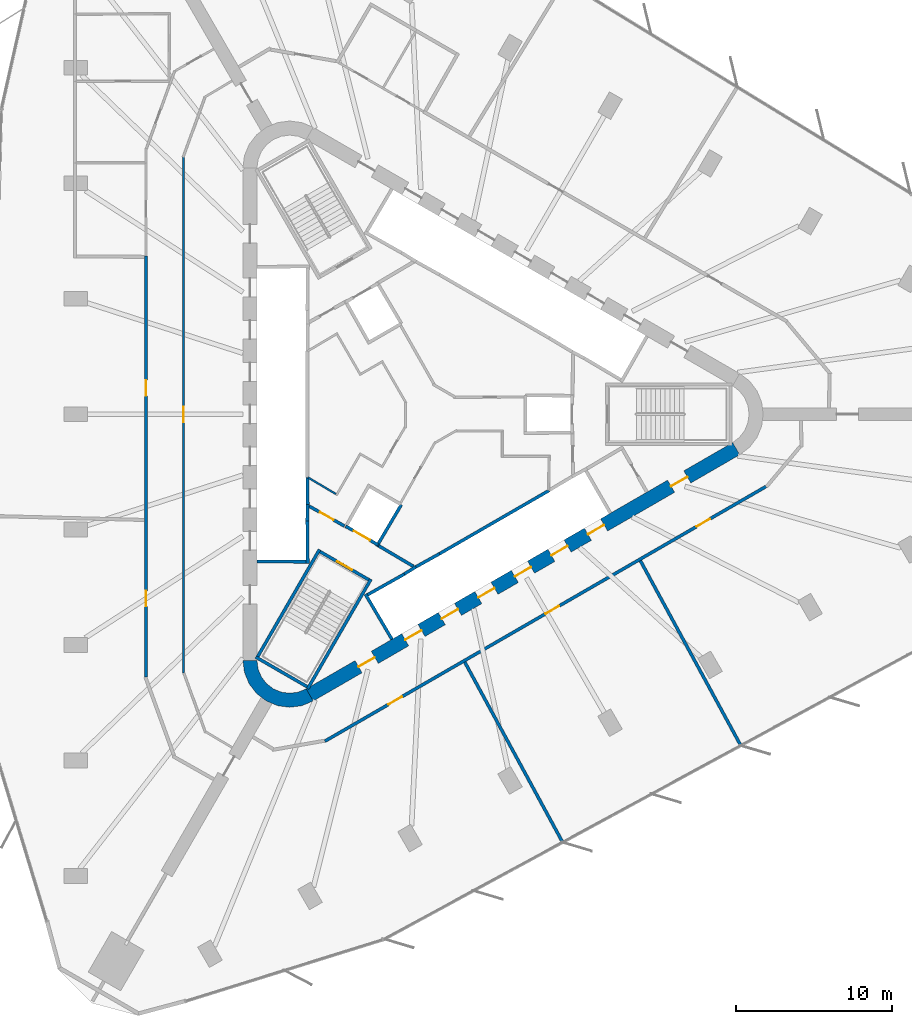
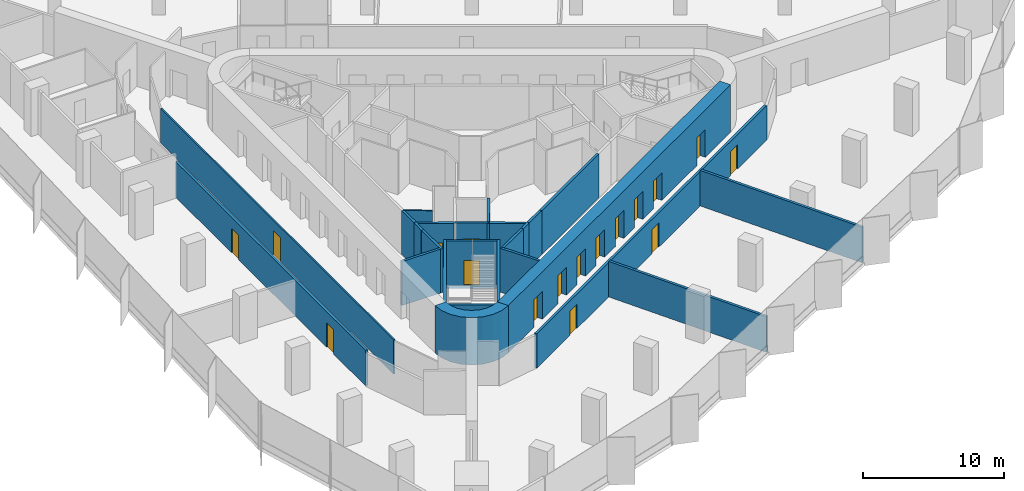
# One storey, part 9 of 14: 25 walls, 17 doors, 17 openings.
"""IFC4 building model written with IfcOpenShell, lengths in metres."""

from ifc_helpers import new_model, si_unit, direction, frame, frame_2d, origin, place, context, subcontext, project, spatial, polyline, rectangle, outline, extrude, material, layer, layer_set, type_object, element, fill, save


model = new_model("IFC4")

# Units and contexts
model_context = context("Model", 3, precision=1e-05, world=origin(), true_north=direction((0.0, 1.0)))
body_context = subcontext(model_context, "Body", "Model", "MODEL_VIEW")
ifc_project = project(units=[si_unit("LENGTHUNIT", "METRE"), si_unit("AREAUNIT", "SQUARE_METRE"), si_unit("VOLUMEUNIT", "CUBIC_METRE"), si_unit("PLANEANGLEUNIT", "RADIAN"), si_unit("MASSUNIT", "GRAM", prefix="KILO")], contexts=[model_context])

# Site, building, storey
site_placement = place(None, origin())
site = spatial("IfcSite", under=ifc_project, at=site_placement, CompositionType="ELEMENT")
building_placement = place(site_placement, origin())
building = spatial("IfcBuilding", under=site, at=building_placement, Name="Tanit Gate Tower", CompositionType="ELEMENT")
storey_placement = place(building_placement, frame((0.0, 0.0, 119.300048828125)))
storey = spatial("IfcBuildingStorey", under=building, at=storey_placement, Name="L25", CompositionType="ELEMENT", Elevation=119.300048828125)

# Wall, openings, doors
ifc_material_1 = material(Name="Concrete C60/75", Category="concrete")
ifc_layer_1 = layer(ifc_material_1, 0.89990234375)
ifc_layer_set_1 = layer_set([ifc_layer_1], Name="CORE WALL 900 C60/75")
wall_type_1 = type_object("IfcWallType", Name="CORE WALL 900 C60/75", PredefinedType="SHEAR", material=ifc_layer_set_1)
wall_1_placement = place(storey_placement, frame((-7.824951171875, -17.969970703125, 0.0), z_axis=(0.0, 0.0, 1.0), x_axis=(0.866028369851, 0.499994862586, 0.0)))
wall_1 = element("IfcWall", 1, at=wall_1_placement, inside=storey, type_object=wall_type_1, Name="CORE WALL", PredefinedType="SHEAR", context=body_context, shape_type="SweptSolid", body=[
    extrude(rectangle(XDim=31.523193359375, YDim=0.89990234375, at=frame_2d((15.76171875, 0.0))), origin(), (0.0, 0.0, 1.0), 4.099853515625),
])
opening_1_placement = place(wall_1_placement, frame((7.061767578125, 0.0, 0.0)))
opening_1 = element("IfcOpeningElement", 2, at=opening_1_placement, cuts=wall_1, Name="Opening LDSX1-S06", PredefinedType="OPENING", context=body_context, shape_type="SweptSolid", body=[
    extrude(rectangle(XDim=1.199951171875, YDim=2.39990234375, at=frame_2d((0.60009765625, 1.199951171875))), frame((0.0, 0.4599609375, 0.0), z_axis=(0.0, -1.0, 0.0), x_axis=(1.0, 0.0, 0.0)), (0.0, 0.0, 1.0), 0.919921875),
])
opening_2_placement = place(wall_1_placement, frame((9.76171875, 0.0, 0.0)))
opening_2 = element("IfcOpeningElement", 3, at=opening_2_placement, cuts=wall_1, Name="Opening LDSX2-S06", PredefinedType="OPENING", context=body_context, shape_type="SweptSolid", body=[
    extrude(rectangle(XDim=1.199951171875, YDim=2.39990234375, at=frame_2d((0.60009765625, 1.199951171875))), frame((0.0, 0.4599609375, 0.0), z_axis=(0.0, -1.0, 0.0), x_axis=(1.0, 0.0, 0.0)), (0.0, 0.0, 1.0), 0.919921875),
])
opening_3_placement = place(wall_1_placement, frame((12.461669921875, 0.0, 0.0)))
opening_3 = element("IfcOpeningElement", 4, at=opening_3_placement, cuts=wall_1, Name="Opening LDSX3-S06", PredefinedType="OPENING", context=body_context, shape_type="SweptSolid", body=[
    extrude(rectangle(XDim=1.199951171875, YDim=2.39990234375, at=frame_2d((0.60009765625, 1.199951171875))), frame((0.0, 0.4599609375, 0.0), z_axis=(0.0, -1.0, 0.0), x_axis=(1.0, 0.0, 0.0)), (0.0, 0.0, 1.0), 0.919921875),
])
opening_4_placement = place(wall_1_placement, frame((15.16162109375, 0.0, 0.0)))
opening_4 = element("IfcOpeningElement", 5, at=opening_4_placement, cuts=wall_1, Name="Opening LDSX4-S06", PredefinedType="OPENING", context=body_context, shape_type="SweptSolid", body=[
    extrude(rectangle(XDim=1.199951171875, YDim=2.39990234375, at=frame_2d((0.60009765625, 1.199951171875))), frame((0.0, 0.4599609375, 0.0), z_axis=(0.0, -1.0, 0.0), x_axis=(1.0, 0.0, 0.0)), (0.0, 0.0, 1.0), 0.919921875),
])
opening_5_placement = place(wall_1_placement, frame((17.861572265625, 0.0, 0.0)))
opening_5 = element("IfcOpeningElement", 6, at=opening_5_placement, cuts=wall_1, Name="Opening LDSV1-S06", PredefinedType="OPENING", context=body_context, shape_type="SweptSolid", body=[
    extrude(rectangle(XDim=1.199951171875, YDim=2.39990234375, at=frame_2d((0.60009765625, 1.199951171875))), frame((0.0, 0.4599609375, 0.0), z_axis=(0.0, -1.0, 0.0), x_axis=(1.0, 0.0, 0.0)), (0.0, 0.0, 1.0), 0.919921875),
])
opening_6_placement = place(wall_1_placement, frame((20.561767578125, 0.0, 0.0)))
opening_6 = element("IfcOpeningElement", 7, at=opening_6_placement, cuts=wall_1, Name="Opening LDSV2-S06", PredefinedType="OPENING", context=body_context, shape_type="SweptSolid", body=[
    extrude(rectangle(XDim=1.199951171875, YDim=2.39990234375, at=frame_2d((0.60009765625, 1.199951171875))), frame((0.0, 0.4599609375, 0.0), z_axis=(0.0, -1.0, 0.0), x_axis=(1.0, 0.0, 0.0)), (0.0, 0.0, 1.0), 0.919921875),
])
opening_7_placement = place(wall_1_placement, frame((26.711669921875, 0.0, 0.0)))
opening_7 = element("IfcOpeningElement", 8, at=opening_7_placement, cuts=wall_1, Name="Opening F12-S06-S1", PredefinedType="OPENING", context=body_context, shape_type="SweptSolid", body=[
    extrude(rectangle(XDim=1.199951171875, YDim=2.39990234375, at=frame_2d((0.60009765625, 1.199951171875))), frame((0.0, 0.4599609375, 0.0), z_axis=(0.0, -1.0, 0.0), x_axis=(1.0, 0.0, 0.0)), (0.0, 0.0, 1.0), 0.919921875),
])
opening_8_placement = place(wall_1_placement, frame((3.611572265625, 0.0, 0.0)))
opening_8 = element("IfcOpeningElement", 9, at=opening_8_placement, cuts=wall_1, Name="Opening F12-S06-FL3", PredefinedType="OPENING", context=body_context, shape_type="SweptSolid", body=[
    extrude(rectangle(XDim=1.199951171875, YDim=2.39990234375, at=frame_2d((0.60009765625, 1.199951171875))), frame((0.0, 0.4599609375, 0.0), z_axis=(0.0, -1.0, 0.0), x_axis=(1.0, 0.0, 0.0)), (0.0, 0.0, 1.0), 0.919921875),
])
ifc_material_2 = material(Name="Fire-rated steel door leaf", Category="steel")
door_type_1 = type_object("IfcDoorType", Name="INT-DOOR-FIRE-LOBBY-1200", OperationType="NOTDEFINED", PredefinedType="USERDEFINED", material=ifc_material_2)
door_1_placement = place(opening_7_placement, origin())
door_1 = element("IfcDoor", 10, at=door_1_placement, inside=storey, type_object=door_type_1, Name="Door F12-S06-S1", ObjectType="FIRE DOOR", OperationType="SINGLE_SWING_LEFT", OverallHeight=2.39990234375, OverallWidth=1.199951171875, PredefinedType="USERDEFINED", context=body_context, shape_type="SweptSolid", body=[
    extrude(rectangle(XDim=1.199951171875, YDim=2.39990234375, at=frame_2d((0.60009765625, 1.199951171875))), frame((0.0, 0.02490234375, 0.0), z_axis=(0.0, -1.0, 0.0), x_axis=(1.0, 0.0, 0.0)), (0.0, 0.0, 1.0), 0.050048828125),
])
fill(opening_7, door_1)
door_2_placement = place(opening_8_placement, origin())
door_2 = element("IfcDoor", 11, at=door_2_placement, inside=storey, type_object=door_type_1, Name="Door F12-S06-FL3", ObjectType="FIRE DOOR", OperationType="SINGLE_SWING_RIGHT", OverallHeight=2.39990234375, OverallWidth=1.199951171875, PredefinedType="USERDEFINED", context=body_context, shape_type="SweptSolid", body=[
    extrude(rectangle(XDim=1.199951171875, YDim=2.39990234375, at=frame_2d((0.60009765625, 1.199951171875))), frame((0.0, 0.02490234375, 0.0), z_axis=(0.0, -1.0, 0.0), x_axis=(1.0, 0.0, 0.0)), (0.0, 0.0, 1.0), 0.050048828125),
])
fill(opening_8, door_2)
ifc_material_3 = material(Name="Stainless steel sliding door leaf", Category="steel")
door_type_2 = type_object("IfcDoorType", Name="INT-DOOR-LANDING-1200", OperationType="NOTDEFINED", PredefinedType="USERDEFINED", material=ifc_material_3)
door_3_placement = place(opening_1_placement, origin())
door_3 = element("IfcDoor", 12, at=door_3_placement, inside=storey, type_object=door_type_2, Name="Door LDSX1-S06", ObjectType="LANDING DOOR", OperationType="SLIDING_TO_LEFT", OverallHeight=2.39990234375, OverallWidth=1.199951171875, PredefinedType="USERDEFINED", context=body_context, shape_type="SweptSolid", body=[
    extrude(rectangle(XDim=1.199951171875, YDim=2.39990234375, at=frame_2d((0.60009765625, 1.199951171875))), frame((0.0, 0.02490234375, 0.0), z_axis=(0.0, -1.0, 0.0), x_axis=(1.0, 0.0, 0.0)), (0.0, 0.0, 1.0), 0.050048828125),
])
fill(opening_1, door_3)
door_4_placement = place(opening_2_placement, origin())
door_4 = element("IfcDoor", 13, at=door_4_placement, inside=storey, type_object=door_type_2, Name="Door LDSX2-S06", ObjectType="LANDING DOOR", OperationType="SLIDING_TO_LEFT", OverallHeight=2.39990234375, OverallWidth=1.199951171875, PredefinedType="USERDEFINED", context=body_context, shape_type="SweptSolid", body=[
    extrude(rectangle(XDim=1.199951171875, YDim=2.39990234375, at=frame_2d((0.60009765625, 1.199951171875))), frame((0.0, 0.02490234375, 0.0), z_axis=(0.0, -1.0, 0.0), x_axis=(1.0, 0.0, 0.0)), (0.0, 0.0, 1.0), 0.050048828125),
])
fill(opening_2, door_4)
door_5_placement = place(opening_3_placement, origin())
door_5 = element("IfcDoor", 14, at=door_5_placement, inside=storey, type_object=door_type_2, Name="Door LDSX3-S06", ObjectType="LANDING DOOR", OperationType="SLIDING_TO_LEFT", OverallHeight=2.39990234375, OverallWidth=1.199951171875, PredefinedType="USERDEFINED", context=body_context, shape_type="SweptSolid", body=[
    extrude(rectangle(XDim=1.199951171875, YDim=2.39990234375, at=frame_2d((0.60009765625, 1.199951171875))), frame((0.0, 0.02490234375, 0.0), z_axis=(0.0, -1.0, 0.0), x_axis=(1.0, 0.0, 0.0)), (0.0, 0.0, 1.0), 0.050048828125),
])
fill(opening_3, door_5)
door_6_placement = place(opening_4_placement, origin())
door_6 = element("IfcDoor", 15, at=door_6_placement, inside=storey, type_object=door_type_2, Name="Door LDSX4-S06", ObjectType="LANDING DOOR", OperationType="SLIDING_TO_LEFT", OverallHeight=2.39990234375, OverallWidth=1.199951171875, PredefinedType="USERDEFINED", context=body_context, shape_type="SweptSolid", body=[
    extrude(rectangle(XDim=1.199951171875, YDim=2.39990234375, at=frame_2d((0.60009765625, 1.199951171875))), frame((0.0, 0.02490234375, 0.0), z_axis=(0.0, -1.0, 0.0), x_axis=(1.0, 0.0, 0.0)), (0.0, 0.0, 1.0), 0.050048828125),
])
fill(opening_4, door_6)
door_7_placement = place(opening_5_placement, origin())
door_7 = element("IfcDoor", 16, at=door_7_placement, inside=storey, type_object=door_type_2, Name="Door LDSV1-S06", ObjectType="LANDING DOOR", OperationType="SLIDING_TO_LEFT", OverallHeight=2.39990234375, OverallWidth=1.199951171875, PredefinedType="USERDEFINED", context=body_context, shape_type="SweptSolid", body=[
    extrude(rectangle(XDim=1.199951171875, YDim=2.39990234375, at=frame_2d((0.60009765625, 1.199951171875))), frame((0.0, 0.02490234375, 0.0), z_axis=(0.0, -1.0, 0.0), x_axis=(1.0, 0.0, 0.0)), (0.0, 0.0, 1.0), 0.050048828125),
])
fill(opening_5, door_7)
door_8_placement = place(opening_6_placement, origin())
door_8 = element("IfcDoor", 17, at=door_8_placement, inside=storey, type_object=door_type_2, Name="Door LDSV2-S06", ObjectType="LANDING DOOR", OperationType="SLIDING_TO_LEFT", OverallHeight=2.39990234375, OverallWidth=1.199951171875, PredefinedType="USERDEFINED", context=body_context, shape_type="SweptSolid", body=[
    extrude(rectangle(XDim=1.199951171875, YDim=2.39990234375, at=frame_2d((0.60009765625, 1.199951171875))), frame((0.0, 0.02490234375, 0.0), z_axis=(0.0, -1.0, 0.0), x_axis=(1.0, 0.0, 0.0)), (0.0, 0.0, 1.0), 0.050048828125),
])
fill(opening_6, door_8)

# Walls
wall_2_placement = place(storey_placement, origin())
element("IfcWall", 18, at=wall_2_placement, inside=storey, type_object=wall_type_1, Name="CORE WALL CORNER", PredefinedType="SHEAR", context=body_context, shape_type="SweptSolid", body=[
    extrude(outline(polyline([(-12.10009765625, -15.76171875), (-11.997802734375, -16.5380859375), (-11.697998046875, -17.26171875), (-11.22119140625, -17.883056640625), (-10.60009765625, -18.359619140625), (-9.87646484375, -18.659423828125), (-9.10009765625, -18.76171875), (-8.323486328125, -18.659423828125), (-7.60009765625, -18.359619140625), (-8.050048828125, -17.580322265625), (-8.556396484375, -17.7900390625), (-9.10009765625, -17.86181640625), (-9.6435546875, -17.7900390625), (-10.14990234375, -17.580322265625), (-10.5849609375, -17.24658203125), (-10.918701171875, -16.811767578125), (-11.12841796875, -16.30517578125), (-11.199951171875, -15.76171875), (-12.10009765625, -15.76171875)])), origin(), (0.0, 0.0, 1.0), 4.099853515625),
])
ifc_material_4 = material(Name="Fire-rated gypsum board partition")
ifc_layer_2 = layer(ifc_material_4, 0.199951171875)
ifc_layer_set_2 = layer_set([ifc_layer_2], Name="INT-WALL-COMPARTMENT")
wall_type_2 = type_object("IfcWallType", Name="INT-WALL-COMPARTMENT", PredefinedType="PARTITIONING", material=ifc_layer_set_2)
wall_3_placement = place(storey_placement, frame((-3.400634765625, -8.43017578125, 0.0), z_axis=(0.0, 0.0, 1.0), x_axis=(0.860615607571, -0.509255118781, 0.0)))
element("IfcWall", 19, at=wall_3_placement, inside=storey, type_object=wall_type_2, Name="Wall Compartment W063", PredefinedType="PARTITIONING", context=body_context, shape_type="SweptSolid", body=[
    extrude(rectangle(XDim=2.58056640625, YDim=0.199951171875, at=frame_2d((1.290283203125, 0.0))), origin(), (0.0, 0.0, 1.0), 3.800048828125),
])

# Wall, opening, door
wall_4_placement = place(storey_placement, frame((-7.849365234375, -5.893798828125, 0.0), z_axis=(0.0, 0.0, 1.0), x_axis=(0.871363259478, -0.490638431059, 0.0)))
wall_4 = element("IfcWall", 20, at=wall_4_placement, inside=storey, type_object=wall_type_2, Name="Wall Compartment W064", PredefinedType="PARTITIONING", context=body_context, shape_type="SweptSolid", body=[
    extrude(rectangle(XDim=2.5810546875, YDim=0.199951171875, at=frame_2d((1.29052734375, 0.0))), origin(), (0.0, 0.0, 1.0), 3.800048828125),
])
opening_9_placement = place(wall_4_placement, frame((0.79052734375, 0.0, 0.0)))
opening_9 = element("IfcOpeningElement", 21, at=opening_9_placement, cuts=wall_4, Name="Opening F10-S06-08", PredefinedType="OPENING", context=body_context, shape_type="SweptSolid", body=[
    extrude(rectangle(XDim=1.0, YDim=2.10009765625, at=frame_2d((0.5, 1.050048828125))), frame((0.0, 0.10986328125, 0.0), z_axis=(0.0, -1.0, 0.0), x_axis=(1.0, 0.0, 0.0)), (0.0, 0.0, 1.0), 0.219970703125),
])
ifc_material_5 = material(Name="Fire-rated steel door leaf", Category="steel")
door_type_3 = type_object("IfcDoorType", Name="INT-DOOR-FIRE-1000", OperationType="NOTDEFINED", PredefinedType="USERDEFINED", material=ifc_material_5)
door_9_placement = place(opening_9_placement, origin())
door_9 = element("IfcDoor", 22, at=door_9_placement, inside=storey, type_object=door_type_3, Name="Door F10-S06-08", ObjectType="FIRE DOOR", OperationType="SINGLE_SWING_RIGHT", OverallHeight=2.10009765625, OverallWidth=1.0, PredefinedType="USERDEFINED", context=body_context, shape_type="SweptSolid", body=[
    extrude(rectangle(XDim=1.0, YDim=2.10009765625, at=frame_2d((0.5, 1.050048828125))), frame((0.0, 0.02490234375, 0.0), z_axis=(0.0, -1.0, 0.0), x_axis=(1.0, 0.0, 0.0)), (0.0, 0.0, 1.0), 0.050048828125),
])
fill(opening_9, door_9)

# Wall, openings, doors
wall_5_placement = place(storey_placement, frame((-18.300048828125, 10.1298828125, 0.0), z_axis=(0.0, 0.0, 1.0), x_axis=(0.0, -1.0, 0.0)))
wall_5 = element("IfcWall", 23, at=wall_5_placement, inside=storey, type_object=wall_type_2, Name="Wall Compartment W091", PredefinedType="PARTITIONING", context=body_context, shape_type="SweptSolid", body=[
    extrude(rectangle(XDim=26.964111328125, YDim=0.199951171875, at=frame_2d((13.48193359375, 0.0))), origin(), (0.0, 0.0, 1.0), 3.079833984375),
])
opening_10_placement = place(wall_5_placement, frame((21.43408203125, 0.0, 0.0)))
opening_10 = element("IfcOpeningElement", 24, at=opening_10_placement, cuts=wall_5, Name="Opening F10-S06-21", PredefinedType="OPENING", context=body_context, shape_type="SweptSolid", body=[
    extrude(rectangle(XDim=1.0, YDim=2.10009765625, at=frame_2d((0.5, 1.050048828125))), frame((0.0, 0.10986328125, 0.0), z_axis=(0.0, -1.0, 0.0), x_axis=(1.0, 0.0, 0.0)), (0.0, 0.0, 1.0), 0.219970703125),
])
opening_11_placement = place(wall_5_placement, frame((7.951904296875, 0.0, 0.0)))
opening_11 = element("IfcOpeningElement", 25, at=opening_11_placement, cuts=wall_5, Name="Opening F10-S06-22", PredefinedType="OPENING", context=body_context, shape_type="SweptSolid", body=[
    extrude(rectangle(XDim=1.0, YDim=2.10009765625, at=frame_2d((0.5, 1.050048828125))), frame((0.0, 0.10986328125, 0.0), z_axis=(0.0, -1.0, 0.0), x_axis=(1.0, 0.0, 0.0)), (0.0, 0.0, 1.0), 0.219970703125),
])
door_10_placement = place(opening_10_placement, origin())
door_10 = element("IfcDoor", 26, at=door_10_placement, inside=storey, type_object=door_type_3, Name="Door F10-S06-21", ObjectType="FIRE DOOR", OperationType="SINGLE_SWING_LEFT", OverallHeight=2.10009765625, OverallWidth=1.0, PredefinedType="USERDEFINED", context=body_context, shape_type="SweptSolid", body=[
    extrude(rectangle(XDim=1.0, YDim=2.10009765625, at=frame_2d((0.5, 1.050048828125))), frame((0.0, 0.02490234375, 0.0), z_axis=(0.0, -1.0, 0.0), x_axis=(1.0, 0.0, 0.0)), (0.0, 0.0, 1.0), 0.050048828125),
])
fill(opening_10, door_10)
door_11_placement = place(opening_11_placement, origin())
door_11 = element("IfcDoor", 27, at=door_11_placement, inside=storey, type_object=door_type_3, Name="Door F10-S06-22", ObjectType="FIRE DOOR", OperationType="SINGLE_SWING_LEFT", OverallHeight=2.10009765625, OverallWidth=1.0, PredefinedType="USERDEFINED", context=body_context, shape_type="SweptSolid", body=[
    extrude(rectangle(XDim=1.0, YDim=2.10009765625, at=frame_2d((0.5, 1.050048828125))), frame((0.0, 0.02490234375, 0.0), z_axis=(0.0, -1.0, 0.0), x_axis=(1.0, 0.0, 0.0)), (0.0, 0.0, 1.0), 0.050048828125),
])
fill(opening_11, door_11)

wall_6_placement = place(storey_placement, frame((-6.852294921875, -20.930419921875, 0.0), z_axis=(0.0, 0.0, 1.0), x_axis=(0.866023703603, 0.500002944789, 0.0)))
wall_6 = element("IfcWall", 28, at=wall_6_placement, inside=storey, type_object=wall_type_2, Name="Wall Compartment W110", PredefinedType="PARTITIONING", context=body_context, shape_type="SweptSolid", body=[
    extrude(rectangle(XDim=32.598876953125, YDim=0.199951171875, at=frame_2d((16.29931640625, 0.0))), origin(), (0.0, 0.0, 1.0), 2.97998046875),
])
opening_12_placement = place(wall_6_placement, frame((27.462890625, 0.0, 0.0)))
opening_12 = element("IfcOpeningElement", 29, at=opening_12_placement, cuts=wall_6, Name="Opening F10-S06-26", PredefinedType="OPENING", context=body_context, shape_type="SweptSolid", body=[
    extrude(rectangle(XDim=1.0, YDim=2.10009765625, at=frame_2d((0.5, 1.050048828125))), frame((0.0, 0.10986328125, 0.0), z_axis=(0.0, -1.0, 0.0), x_axis=(1.0, 0.0, 0.0)), (0.0, 0.0, 1.0), 0.219970703125),
])
opening_13_placement = place(wall_6_placement, frame((16.30712890625, 0.0, 0.0)))
opening_13 = element("IfcOpeningElement", 30, at=opening_13_placement, cuts=wall_6, Name="Opening F10-S06-27", PredefinedType="OPENING", context=body_context, shape_type="SweptSolid", body=[
    extrude(rectangle(XDim=1.0, YDim=2.10009765625, at=frame_2d((0.5, 1.050048828125))), frame((0.0, 0.10986328125, 0.0), z_axis=(0.0, -1.0, 0.0), x_axis=(1.0, 0.0, 0.0)), (0.0, 0.0, 1.0), 0.219970703125),
])
opening_14_placement = place(wall_6_placement, frame((4.693603515625, 0.0, 0.0)))
opening_14 = element("IfcOpeningElement", 31, at=opening_14_placement, cuts=wall_6, Name="Opening F10-S06-28", PredefinedType="OPENING", context=body_context, shape_type="SweptSolid", body=[
    extrude(rectangle(XDim=1.0, YDim=2.10009765625, at=frame_2d((0.5, 1.050048828125))), frame((0.0, 0.10986328125, 0.0), z_axis=(0.0, -1.0, 0.0), x_axis=(1.0, 0.0, 0.0)), (0.0, 0.0, 1.0), 0.219970703125),
])
door_12_placement = place(opening_12_placement, origin())
door_12 = element("IfcDoor", 32, at=door_12_placement, inside=storey, type_object=door_type_3, Name="Door F10-S06-26", ObjectType="FIRE DOOR", OperationType="SINGLE_SWING_LEFT", OverallHeight=2.10009765625, OverallWidth=1.0, PredefinedType="USERDEFINED", context=body_context, shape_type="SweptSolid", body=[
    extrude(rectangle(XDim=1.0, YDim=2.10009765625, at=frame_2d((0.5, 1.050048828125))), frame((0.0, 0.02490234375, 0.0), z_axis=(0.0, -1.0, 0.0), x_axis=(1.0, 0.0, 0.0)), (0.0, 0.0, 1.0), 0.050048828125),
])
fill(opening_12, door_12)
door_13_placement = place(opening_13_placement, origin())
door_13 = element("IfcDoor", 33, at=door_13_placement, inside=storey, type_object=door_type_3, Name="Door F10-S06-27", ObjectType="FIRE DOOR", OperationType="SINGLE_SWING_RIGHT", OverallHeight=2.10009765625, OverallWidth=1.0, PredefinedType="USERDEFINED", context=body_context, shape_type="SweptSolid", body=[
    extrude(rectangle(XDim=1.0, YDim=2.10009765625, at=frame_2d((0.5, 1.050048828125))), frame((0.0, 0.02490234375, 0.0), z_axis=(0.0, -1.0, 0.0), x_axis=(1.0, 0.0, 0.0)), (0.0, 0.0, 1.0), 0.050048828125),
])
fill(opening_13, door_13)
door_14_placement = place(opening_14_placement, origin())
door_14 = element("IfcDoor", 34, at=door_14_placement, inside=storey, type_object=door_type_3, Name="Door F10-S06-28", ObjectType="FIRE DOOR", OperationType="SINGLE_SWING_LEFT", OverallHeight=2.10009765625, OverallWidth=1.0, PredefinedType="USERDEFINED", context=body_context, shape_type="SweptSolid", body=[
    extrude(rectangle(XDim=1.0, YDim=2.10009765625, at=frame_2d((0.5, 1.050048828125))), frame((0.0, 0.02490234375, 0.0), z_axis=(0.0, -1.0, 0.0), x_axis=(1.0, 0.0, 0.0)), (0.0, 0.0, 1.0), 0.050048828125),
])
fill(opening_14, door_14)

# Walls
wall_7_placement = place(storey_placement, frame((13.34521484375, -9.384765625, 0.0), z_axis=(0.0, 0.0, 1.0), x_axis=(0.477273420177, -0.878754847721, 0.0)))
element("IfcWall", 35, at=wall_7_placement, inside=storey, type_object=wall_type_2, Name="Wall Compartment W133", PredefinedType="PARTITIONING", context=body_context, shape_type="SweptSolid", body=[
    extrude(rectangle(XDim=13.442138671875, YDim=0.199951171875, at=frame_2d((6.72119140625, 0.0))), origin(), (0.0, 0.0, 1.0), 3.079833984375),
])
wall_8_placement = place(storey_placement, frame((8.3583984375, -27.3896484375, 0.0), z_axis=(0.0, 0.0, 1.0), x_axis=(-0.477258783959, 0.878762796854, 0.0)))
element("IfcWall", 36, at=wall_8_placement, inside=storey, type_object=wall_type_2, Name="Wall Compartment W134", PredefinedType="PARTITIONING", context=body_context, shape_type="SweptSolid", body=[
    extrude(rectangle(XDim=13.103759765625, YDim=0.199951171875, at=frame_2d((6.5517578125, 0.0))), origin(), (0.0, 0.0, 1.0), 3.079833984375),
])
ifc_material_6 = material(Name="Gypsum board partition")
ifc_layer_3 = layer(ifc_material_6, 0.1201171875)
ifc_layer_set_3 = layer_set([ifc_layer_3], Name="INT-WALL-PARTITION")
wall_type_3 = type_object("IfcWallType", Name="INT-WALL-PARTITION", PredefinedType="PARTITIONING", material=ifc_layer_set_3)
wall_9_placement = place(storey_placement, frame((-7.949951171875, -4.041015625, 0.0), z_axis=(0.0, 0.0, 1.0), x_axis=(0.860112457103, -0.510104461004, 0.0)))
element("IfcWall", 37, at=wall_9_placement, inside=storey, type_object=wall_type_3, Name="Wall Partition W082", PredefinedType="PARTITIONING", context=body_context, shape_type="SweptSolid", body=[
    extrude(rectangle(XDim=2.1044921875, YDim=0.1201171875, at=frame_2d((1.05224609375, 0.0))), origin(), (0.0, 0.0, 1.0), 3.800048828125),
])

# Wall, opening, door
wall_10_placement = place(storey_placement, frame((-15.89990234375, 16.451171875, 0.0), z_axis=(0.0, 0.0, 1.0), x_axis=(0.0, -1.0, 0.0)))
wall_10 = element("IfcWall", 38, at=wall_10_placement, inside=storey, type_object=wall_type_3, Name="Wall Partition W085", PredefinedType="PARTITIONING", context=body_context, shape_type="SweptSolid", body=[
    extrude(rectangle(XDim=33.022216796875, YDim=0.1201171875, at=frame_2d((16.51123046875, 0.0))), origin(), (0.0, 0.0, 1.0), 2.97998046875),
])
opening_15_placement = place(wall_10_placement, frame((15.981201171875, 0.0, 0.0)))
opening_15 = element("IfcOpeningElement", 39, at=opening_15_placement, cuts=wall_10, Name="Opening D10-S06-14", PredefinedType="OPENING", context=body_context, shape_type="SweptSolid", body=[
    extrude(rectangle(XDim=1.0, YDim=2.10009765625, at=frame_2d((0.5, 1.050048828125))), frame((0.0, 0.070068359375, 0.0), z_axis=(0.0, -1.0, 0.0), x_axis=(1.0, 0.0, 0.0)), (0.0, 0.0, 1.0), 0.14013671875),
])
ifc_material_7 = material(Name="Timber door leaf", Category="wood")
door_type_4 = type_object("IfcDoorType", Name="INT-DOOR-SINGLE-1000", OperationType="NOTDEFINED", PredefinedType="NOTDEFINED", material=ifc_material_7)
door_15_placement = place(opening_15_placement, origin())
door_15 = element("IfcDoor", 40, at=door_15_placement, inside=storey, type_object=door_type_4, Name="Door D10-S06-14", OperationType="SINGLE_SWING_RIGHT", OverallHeight=2.10009765625, OverallWidth=1.0, PredefinedType="NOTDEFINED", context=body_context, shape_type="SweptSolid", body=[
    extrude(rectangle(XDim=1.0, YDim=2.10009765625, at=frame_2d((0.5, 1.050048828125))), frame((0.0, 0.02490234375, 0.0), z_axis=(0.0, -1.0, 0.0), x_axis=(1.0, 0.0, 0.0)), (0.0, 0.0, 1.0), 0.050048828125),
])
fill(opening_15, door_15)

# Walls
ifc_material_8 = material(Name="Gypsum shaft wall system")
ifc_layer_4 = layer(ifc_material_8, 0.199951171875)
ifc_layer_set_4 = layer_set([ifc_layer_4], Name="INT-WALL-SHAFT")
wall_type_4 = type_object("IfcWallType", Name="INT-WALL-SHAFT", PredefinedType="PLUMBINGWALL", material=ifc_layer_set_4)
wall_11_placement = place(storey_placement, frame((-7.949951171875, -5.7724609375, 0.0), z_axis=(0.0, 0.0, 1.0), x_axis=(-0.030803413295, -0.999525462272, 0.0)))
element("IfcWall", 41, at=wall_11_placement, inside=storey, type_object=wall_type_4, Name="Wall Shaft W009", PredefinedType="PLUMBINGWALL", context=body_context, shape_type="SweptSolid", body=[
    extrude(rectangle(XDim=1.077880859375, YDim=0.199951171875, at=frame_2d((0.5390625, 0.0))), origin(), (0.0, 0.0, 1.0), 3.800048828125),
])
wall_12_placement = place(storey_placement, frame((-7.971435546875, -4.050048828125, 0.0), z_axis=(0.0, 0.0, 1.0), x_axis=(0.012042535896, -0.999927486035, 0.0)))
element("IfcWall", 42, at=wall_12_placement, inside=storey, type_object=wall_type_4, Name="Wall Shaft W010", PredefinedType="PLUMBINGWALL", context=body_context, shape_type="SweptSolid", body=[
    extrude(rectangle(XDim=1.844970703125, YDim=0.199951171875, at=frame_2d((0.92236328125, 0.0))), origin(), (0.0, 0.0, 1.0), 3.800048828125),
])
wall_13_placement = place(storey_placement, frame((-7.97900390625, -6.85009765625, 0.0), z_axis=(0.0, 0.0, 1.0), x_axis=(0.011121475088, -0.999938154483, 0.0)))
element("IfcWall", 43, at=wall_13_placement, inside=storey, type_object=wall_type_4, Name="Wall Shaft W011", PredefinedType="PLUMBINGWALL", context=body_context, shape_type="SweptSolid", body=[
    extrude(rectangle(XDim=2.7001953125, YDim=0.199951171875, at=frame_2d((1.35009765625, 0.0))), origin(), (0.0, 0.0, 1.0), 3.800048828125),
])
wall_14_placement = place(storey_placement, frame((-8.050048828125, -9.448974609375, 0.0), z_axis=(0.0, 0.0, 1.0), x_axis=(-0.999957467379, 0.009222983926, 0.0)))
element("IfcWall", 44, at=wall_14_placement, inside=storey, type_object=wall_type_4, Name="Wall Shaft W012", PredefinedType="PLUMBINGWALL", context=body_context, shape_type="SweptSolid", body=[
    extrude(rectangle(XDim=3.150146484375, YDim=0.199951171875, at=frame_2d((1.5751953125, 0.0))), origin(), (0.0, 0.0, 1.0), 3.800048828125),
])
wall_15_placement = place(storey_placement, frame((0.482666015625, -8.935791015625, 0.0), z_axis=(0.0, 0.0, 1.0), x_axis=(0.866030989016, 0.499990325971, 0.0)))
element("IfcWall", 45, at=wall_15_placement, inside=storey, type_object=wall_type_4, Name="Wall Shaft W031", PredefinedType="PLUMBINGWALL", context=body_context, shape_type="SweptSolid", body=[
    extrude(rectangle(XDim=8.099853515625, YDim=0.199951171875, at=frame_2d((4.0498046875, 0.0))), origin(), (0.0, 0.0, 1.0), 3.800048828125),
])
wall_16_placement = place(storey_placement, frame((-2.557861328125, -14.409423828125, 0.0), z_axis=(0.0, 0.0, 1.0), x_axis=(-0.507997497166, 0.861358544901, 0.0)))
element("IfcWall", 46, at=wall_16_placement, inside=storey, type_object=wall_type_4, Name="Wall Shaft W027", PredefinedType="PLUMBINGWALL", context=body_context, shape_type="SweptSolid", body=[
    extrude(rectangle(XDim=3.350341796875, YDim=0.199951171875, at=frame_2d((1.67529296875, 0.0))), origin(), (0.0, 0.0, 1.0), 3.800048828125),
])
wall_17_placement = place(storey_placement, frame((-1.7685546875, -10.23681640625, 0.0), z_axis=(0.0, 0.0, 1.0), x_axis=(-0.871534483978, -0.490334215854, 0.0)))
element("IfcWall", 47, at=wall_17_placement, inside=storey, type_object=wall_type_4, Name="Wall Shaft W028", PredefinedType="PLUMBINGWALL", context=body_context, shape_type="SweptSolid", body=[
    extrude(rectangle(XDim=2.7001953125, YDim=0.199951171875, at=frame_2d((1.35009765625, 0.0))), origin(), (0.0, 0.0, 1.0), 3.800048828125),
])
wall_18_placement = place(storey_placement, frame((-1.02392578125, -9.77099609375, 0.0), z_axis=(0.0, 0.0, 1.0), x_axis=(-0.850348075135, -0.526220629693, 0.0)))
element("IfcWall", 48, at=wall_18_placement, inside=storey, type_object=wall_type_4, Name="Wall Shaft W029", PredefinedType="PLUMBINGWALL", context=body_context, shape_type="SweptSolid", body=[
    extrude(rectangle(XDim=0.878173828125, YDim=0.199951171875, at=frame_2d((0.43896484375, 0.0))), origin(), (0.0, 0.0, 1.0), 3.800048828125),
])
wall_19_placement = place(storey_placement, frame((-1.130126953125, -9.831298828125, 0.0), z_axis=(0.0, 0.0, 1.0), x_axis=(0.874269620932, 0.485440655401, 0.0)))
element("IfcWall", 49, at=wall_19_placement, inside=storey, type_object=wall_type_4, Name="Wall Shaft W030", PredefinedType="PLUMBINGWALL", context=body_context, shape_type="SweptSolid", body=[
    extrude(rectangle(XDim=1.8447265625, YDim=0.199951171875, at=frame_2d((0.92236328125, 0.0))), origin(), (0.0, 0.0, 1.0), 3.800048828125),
])

# Wall, opening, door
wall_20_placement = place(storey_placement, frame((-3.44580078125, -8.3681640625, 0.0), z_axis=(0.0, 0.0, 1.0), x_axis=(-0.866024647952, 0.500001309137, 0.0)))
wall_20 = element("IfcWall", 50, at=wall_20_placement, inside=storey, type_object=wall_type_4, Name="Wall Shaft W053", PredefinedType="PLUMBINGWALL", context=body_context, shape_type="SweptSolid", body=[
    extrude(rectangle(XDim=2.39990234375, YDim=0.199951171875, at=frame_2d((1.199951171875, 0.0))), origin(), (0.0, 0.0, 1.0), 3.800048828125),
])
opening_16_placement = place(wall_20_placement, frame((0.60009765625, 0.0, 0.0)))
opening_16 = element("IfcOpeningElement", 51, at=opening_16_placement, cuts=wall_20, Name="Opening LDFL3-L25", PredefinedType="OPENING", context=body_context, shape_type="SweptSolid", body=[
    extrude(rectangle(XDim=1.199951171875, YDim=2.39990234375, at=frame_2d((0.60009765625, 1.199951171875))), frame((0.0, 0.10986328125, 0.0), z_axis=(0.0, -1.0, 0.0), x_axis=(1.0, 0.0, 0.0)), (0.0, 0.0, 1.0), 0.219970703125),
])
door_16_placement = place(opening_16_placement, origin())
door_16 = element("IfcDoor", 52, at=door_16_placement, inside=storey, type_object=door_type_2, Name="Door LDFL3-L25", ObjectType="LANDING DOOR", OperationType="SLIDING_TO_LEFT", OverallHeight=2.39990234375, OverallWidth=1.199951171875, PredefinedType="USERDEFINED", context=body_context, shape_type="SweptSolid", body=[
    extrude(rectangle(XDim=1.199951171875, YDim=2.39990234375, at=frame_2d((0.60009765625, 1.199951171875))), frame((0.0, 0.02490234375, 0.0), z_axis=(0.0, -1.0, 0.0), x_axis=(1.0, 0.0, 0.0)), (0.0, 0.0, 1.0), 0.050048828125),
])
fill(opening_16, door_16)

# Walls
wall_21_placement = place(storey_placement, frame((-1.960693359375, -5.796142578125, 0.0), z_axis=(0.0, 0.0, 1.0), x_axis=(-0.508647062354, -0.860975125052, 0.0)))
element("IfcWall", 53, at=wall_21_placement, inside=storey, type_object=wall_type_4, Name="Wall Shaft W054", PredefinedType="PLUMBINGWALL", context=body_context, shape_type="SweptSolid", body=[
    extrude(rectangle(XDim=3.10009765625, YDim=0.199951171875, at=frame_2d((1.550048828125, 0.0))), origin(), (0.0, 0.0, 1.0), 3.800048828125),
])
ifc_material_9 = material(Name="Concrete C40/50", Category="concrete")
ifc_layer_5 = layer(ifc_material_9, 0.199951171875)
ifc_layer_set_5 = layer_set([ifc_layer_5], Name="INT-WALL-STAIR")
wall_type_5 = type_object("IfcWallType", Name="INT-WALL-STAIR", PredefinedType="SHEAR", material=ifc_layer_set_5)
wall_22_placement = place(storey_placement, frame((-3.904541015625, -10.56298828125, -0.300048828125), z_axis=(0.0, 0.0, 1.0), x_axis=(-0.500012932018, -0.866017937352, 0.0)))
element("IfcWall", 54, at=wall_22_placement, inside=storey, type_object=wall_type_5, Name="Wall Stair W049", PredefinedType="SHEAR", context=body_context, shape_type="SweptSolid", body=[
    extrude(rectangle(XDim=8.099853515625, YDim=0.199951171875, at=frame_2d((4.0498046875, 0.0))), origin(), (0.0, 0.0, 1.0), 4.10009765625),
])
wall_23_placement = place(storey_placement, frame((-11.281982421875, -15.541015625, -0.300048828125), z_axis=(0.0, 0.0, 1.0), x_axis=(0.866000483506, -0.500043160704, 0.0)))
element("IfcWall", 55, at=wall_23_placement, inside=storey, type_object=wall_type_5, Name="Wall Stair W050", PredefinedType="SHEAR", context=body_context, shape_type="SweptSolid", body=[
    extrude(rectangle(XDim=3.800048828125, YDim=0.199951171875, at=frame_2d((1.89990234375, 0.0))), origin(), (0.0, 0.0, 1.0), 4.10009765625),
])
wall_24_placement = place(storey_placement, frame((-7.195556640625, -8.662841796875, -0.300048828125), z_axis=(0.0, 0.0, 1.0), x_axis=(-0.499997992926, -0.866026562566, 0.0)))
element("IfcWall", 56, at=wall_24_placement, inside=storey, type_object=wall_type_5, Name="Wall Stair W051", PredefinedType="SHEAR", context=body_context, shape_type="SweptSolid", body=[
    extrude(rectangle(XDim=7.89990234375, YDim=0.199951171875, at=frame_2d((3.949951171875, 0.0))), origin(), (0.0, 0.0, 1.0), 4.10009765625),
])

# Wall, opening, door
wall_25_placement = place(storey_placement, frame((-4.041259765625, -10.599365234375, -0.300048828125), z_axis=(0.0, 0.0, 1.0), x_axis=(-0.866047807691, 0.499961193289, 0.0)))
wall_25 = element("IfcWall", 57, at=wall_25_placement, inside=storey, type_object=wall_type_5, Name="Wall Stair W052", PredefinedType="SHEAR", context=body_context, shape_type="SweptSolid", body=[
    extrude(rectangle(XDim=3.599853515625, YDim=0.199951171875, at=frame_2d((1.7998046875, 0.0))), origin(), (0.0, 0.0, 1.0), 4.10009765625),
])
opening_17_placement = place(wall_25_placement, frame((1.25, 0.0, 0.300048828125)))
opening_17 = element("IfcOpeningElement", 58, at=opening_17_placement, cuts=wall_25, Name="Opening S11-S06-07", PredefinedType="OPENING", context=body_context, shape_type="SweptSolid", body=[
    extrude(rectangle(XDim=1.10009765625, YDim=2.10009765625, at=frame_2d((0.550048828125, 1.050048828125))), frame((0.0, 0.10986328125, 0.0), z_axis=(0.0, -1.0, 0.0), x_axis=(1.0, 0.0, 0.0)), (0.0, 0.0, 1.0), 0.219970703125),
])
ifc_material_10 = material(Name="Timber door leaf", Category="wood")
door_type_5 = type_object("IfcDoorType", Name="INT-DOOR-STAIR-1100", OperationType="NOTDEFINED", PredefinedType="USERDEFINED", material=ifc_material_10)
door_17_placement = place(opening_17_placement, origin())
door_17 = element("IfcDoor", 59, at=door_17_placement, inside=storey, type_object=door_type_5, Name="Door S11-S06-07", ObjectType="FIRE DOOR", OperationType="SINGLE_SWING_RIGHT", OverallHeight=2.10009765625, OverallWidth=1.10009765625, PredefinedType="USERDEFINED", context=body_context, shape_type="SweptSolid", body=[
    extrude(rectangle(XDim=1.10009765625, YDim=2.10009765625, at=frame_2d((0.550048828125, 1.050048828125))), frame((0.0, 0.02490234375, 0.0), z_axis=(0.0, -1.0, 0.0), x_axis=(1.0, 0.0, 0.0)), (0.0, 0.0, 1.0), 0.050048828125),
])
fill(opening_17, door_17)

save(model, "model.ifc")
